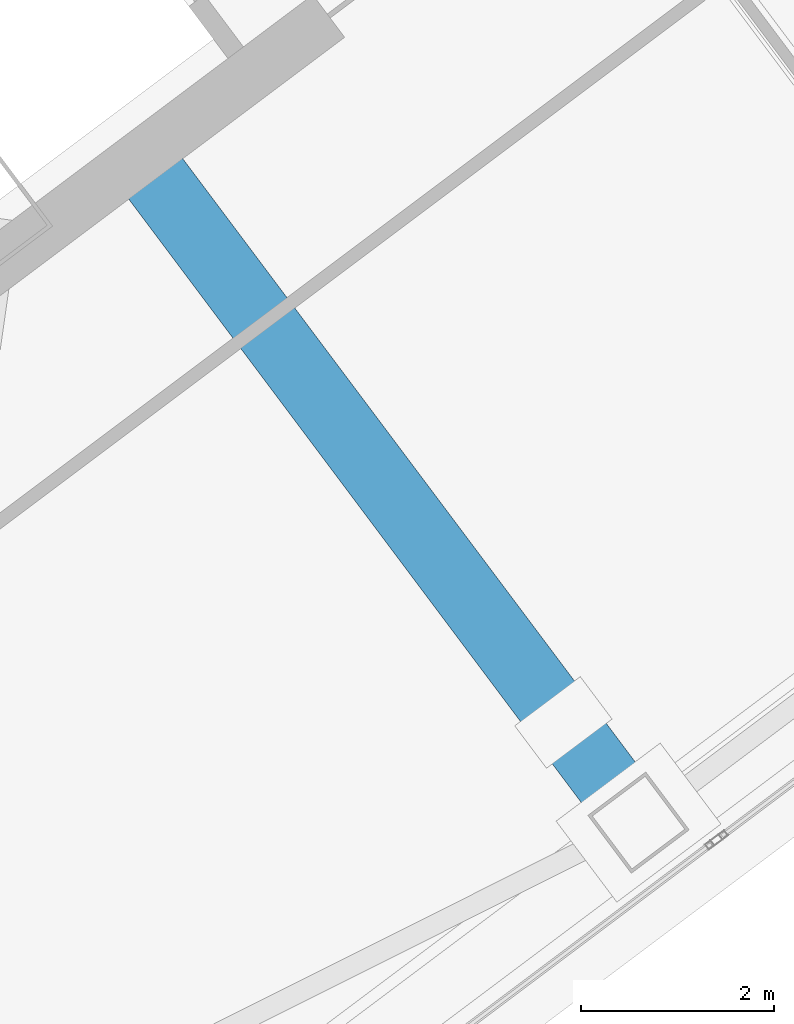
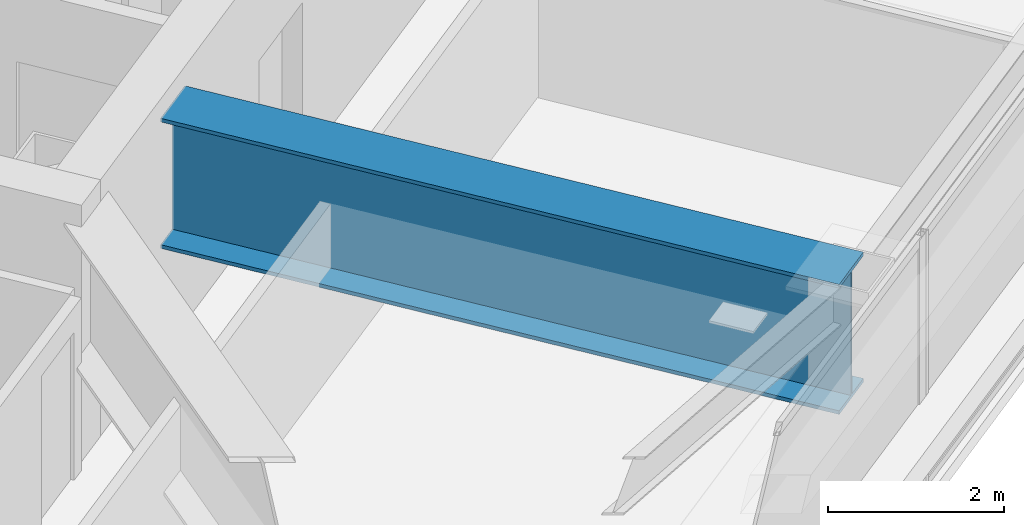
# One storey, part 20 of 42: 1 beam.
"""IFC4 building model written with IfcOpenShell, lengths in metres."""

import ifcopenshell
import ifcopenshell.guid

model = None  # the IFC model being written
_history = None  # IfcOwnerHistory: only IFC2X3 demands one
_inside = {}  # id of a spatial element -> (the spatial element, [elements in it])
_under = {}  # id of a project, library or spatial element -> (it, [spatial elements below it])
_declared = {}  # id of a project -> (the project, [libraries it declares])
_typed = {}  # id of a type object -> (the type object, [elements of that type])
_made_of = {}  # id of a material, layer set ... -> (it, [elements and type objects made of it])


def new_model(schema):
    """Start an empty IFC model of exactly this schema.

    Asked for "IFC4X3", IfcOpenShell would pick the latest addendum, in which some entities
    have other attributes; the version numbers below select the first issue.
    IFC2X3 requires an IfcOwnerHistory on every rooted entity: one is made here for all.
    """
    global model, _history
    if schema == "IFC4X3":
        model = ifcopenshell.file(schema_version=(4, 3, 0, 0))
    else:
        model = ifcopenshell.file(schema=schema)
    _inside.clear()
    _under.clear()
    _declared.clear()
    _typed.clear()
    _made_of.clear()
    _history = None
    if model.schema == "IFC2X3":
        org = make("IfcOrganization", Name="unknown")
        user = make(
            "IfcPersonAndOrganization",
            ThePerson=make("IfcPerson", FamilyName="unknown"),
            TheOrganization=org,
        )
        app = make(
            "IfcApplication",
            ApplicationDeveloper=org,
            Version="unknown",
            ApplicationFullName="unknown",
            ApplicationIdentifier="unknown",
        )
        _history = make(
            "IfcOwnerHistory",
            OwningUser=user,
            OwningApplication=app,
            ChangeAction="ADDED",
            CreationDate=0,
        )
    return model


def make(cls, **values):
    """One entity of the class cls with the attributes given. An attribute that is None is left unset."""
    return model.create_entity(
        cls, **{name: value for name, value in values.items() if value is not None}
    )


def rooted(cls, **values):
    """An entity with a GlobalId (a new one), such as an element, a storey or a relation."""
    return make(cls, GlobalId=ifcopenshell.guid.new(), OwnerHistory=_history, **values)


def si_unit(unit_type, name, prefix=None):
    """IfcSIUnit, for example si_unit("LENGTHUNIT", "METRE", prefix="MILLI")."""
    return make("IfcSIUnit", UnitType=unit_type, Prefix=prefix, Name=name)


def assignment(units):
    """IfcUnitAssignment: the units of a project."""
    return None if units is None else make("IfcUnitAssignment", Units=units)


def point(xyz):
    """IfcCartesianPoint."""
    return None if xyz is None else make("IfcCartesianPoint", Coordinates=xyz)


def direction(xyz):
    """IfcDirection."""
    return None if xyz is None else make("IfcDirection", DirectionRatios=xyz)


def frame(location, z_axis=None, x_axis=None):
    """IfcAxis2Placement3D, a coordinate frame: its origin and axes. An axis left out is left unset."""
    return make(
        "IfcAxis2Placement3D",
        Location=point(location),
        Axis=direction(z_axis),
        RefDirection=direction(x_axis),
    )


def frame_2d(location, x_axis=None):
    """IfcAxis2Placement2D, a coordinate frame in the plane: its origin and x axis."""
    return make(
        "IfcAxis2Placement2D", Location=point(location), RefDirection=direction(x_axis)
    )


def origin():
    """The frame at (0, 0, 0) with its axes left unset."""
    return frame((0.0, 0.0, 0.0))


def origin_2d():
    """The frame at (0, 0) in the plane with its x axis left unset."""
    return frame_2d((0.0, 0.0))


def place(relative_to, where):
    """IfcLocalPlacement: puts the frame where relative to a parent placement (None: the world)."""
    return make(
        "IfcLocalPlacement", PlacementRelTo=relative_to, RelativePlacement=where
    )


def context(
    kind, dimensions, precision=None, world=None, true_north=None, identifier=None
):
    """IfcGeometricRepresentationContext, for example the 3D "Model" context."""
    return make(
        "IfcGeometricRepresentationContext",
        ContextIdentifier=identifier,
        ContextType=kind,
        CoordinateSpaceDimension=dimensions,
        Precision=precision,
        WorldCoordinateSystem=world,
        TrueNorth=true_north,
    )


def subcontext(parent, identifier, kind, view, scale=None):
    """IfcGeometricRepresentationSubContext, for example "Body" below "Model"."""
    return make(
        "IfcGeometricRepresentationSubContext",
        ContextIdentifier=identifier,
        ContextType=kind,
        ParentContext=parent,
        TargetScale=scale,
        TargetView=view,
    )


def project(units=None, contexts=None):
    """IfcProject with its units and contexts."""
    return rooted(
        "IfcProject",
        Name="project",
        RepresentationContexts=contexts,
        UnitsInContext=assignment(units),
    )


def spatial(cls, under=None, at=None, **own):
    """A site, building, storey or space (cls), placed at a placement, below another one or the project."""
    s = rooted(cls, ObjectPlacement=at, **own)
    if under is not None:
        _under.setdefault(under.id(), (under, []))[1].append(s)
    return s


def profile(cls, at=None, kind="AREA", **sizes):
    """A parametric profile (cls). Its sizes go by their IFC names, for example OverallWidth=200.0."""
    return make(cls, ProfileType=kind, Position=at, **sizes)


def i_section(**sizes):
    """IfcIShapeProfileDef."""
    return profile("IfcIShapeProfileDef", **sizes)


def extrude(swept, where, along, depth):
    """IfcExtrudedAreaSolid: the profile swept, set in the frame where, extruded along a direction by depth."""
    return make(
        "IfcExtrudedAreaSolid",
        SweptArea=swept,
        Position=where,
        ExtrudedDirection=direction(along),
        Depth=depth,
    )


def shape(context_of_items, identifier, shape_type, items):
    """IfcShapeRepresentation: the items that make up one representation, for example the "Body"."""
    return make(
        "IfcShapeRepresentation",
        ContextOfItems=context_of_items,
        RepresentationIdentifier=identifier,
        RepresentationType=shape_type,
        Items=items,
    )


def material(Name=None, Category=None):
    """IfcMaterial."""
    return make("IfcMaterial", Name=Name, Category=Category)


def material_profile(
    of_material, cross_section, Name=None, Category=None, Priority=None
):
    """IfcMaterialProfile: a cross section and its material."""
    return make(
        "IfcMaterialProfile",
        Name=Name,
        Material=of_material,
        Profile=cross_section,
        Priority=Priority,
        Category=Category,
    )


def profile_set(profiles, Name=None, composite=None):
    """IfcMaterialProfileSet."""
    return make(
        "IfcMaterialProfileSet",
        Name=Name,
        MaterialProfiles=profiles,
        CompositeProfile=composite,
    )


def made_of(thing, what):
    """Note that an element or type object is made of a material, layer set ...; save() writes the relation."""
    if what is not None:
        _made_of.setdefault(what.id(), (what, []))[1].append(thing)
    return thing


def type_object(cls, material=None, **own):
    """A type object (cls), such as IfcWallType, which elements share."""
    return made_of(rooted(cls, **own), material)


def element(
    cls,
    number,
    at=None,
    inside=None,
    cuts=None,
    type_object=None,
    material=None,
    context=None,
    identifier="Body",
    shape_type=None,
    held_by="IfcProductDefinitionShape",
    body=None,
    shapes=None,
    **own,
):
    """One element of the class cls, such as IfcWall. Its Tag is "e" and its number.

    at: its placement. inside: the storey or other place that contains it. cuts: it is an
    opening in that element (IfcRelVoidsElement). A single representation is given by context,
    identifier, shape_type and body (its items); several are given by shapes. held_by: the class
    of the entity that holds the representations. save() writes the other relations.
    """
    e = rooted(cls, Tag="e%d" % number, ObjectPlacement=at, **own)
    if body is not None:
        shapes = [shape(context, identifier, shape_type, body)]
    if shapes is not None:
        e.Representation = make(held_by, Representations=shapes)
    if inside is not None:
        _inside.setdefault(inside.id(), (inside, []))[1].append(e)
    if cuts is not None:
        rooted(
            "IfcRelVoidsElement", RelatingBuildingElement=cuts, RelatedOpeningElement=e
        )
    if type_object is not None:
        _typed.setdefault(type_object.id(), (type_object, []))[1].append(e)
    return made_of(e, material)


def aggregate(whole, parts):
    """IfcRelAggregates: a whole, such as a stair, and the parts it consists of."""
    return rooted("IfcRelAggregates", RelatingObject=whole, RelatedObjects=parts)


def save(model, path):
    """Write the relations noted so far, then the file.

    IfcRelAggregates (storeys below a building ...), IfcRelContainedInSpatialStructure (elements
    in a storey), IfcRelDefinesByType, IfcRelAssociatesMaterial and IfcRelDeclares: one each for
    every whole, place, type object, material and project.
    """
    for whole, parts in _under.values():
        aggregate(whole, parts)
    for where, things in _inside.values():
        rooted(
            "IfcRelContainedInSpatialStructure",
            RelatedElements=things,
            RelatingStructure=where,
        )
    for kind, things in _typed.values():
        rooted("IfcRelDefinesByType", RelatedObjects=things, RelatingType=kind)
    for what, things in _made_of.values():
        rooted("IfcRelAssociatesMaterial", RelatedObjects=things, RelatingMaterial=what)
    for by, libraries in _declared.values():
        rooted("IfcRelDeclares", RelatingContext=by, RelatedDefinitions=libraries)
    model.write(path)


model = new_model("IFC4")

# Units and contexts
model_context = context("Model", 3, precision=1e-05, world=origin(), true_north=direction((0.0, 1.0)))
body_context = subcontext(model_context, "Body", "Model", "MODEL_VIEW")
ifc_project = project(units=[si_unit("LENGTHUNIT", "METRE"), si_unit("AREAUNIT", "SQUARE_METRE"), si_unit("VOLUMEUNIT", "CUBIC_METRE"), si_unit("PLANEANGLEUNIT", "RADIAN"), si_unit("MASSUNIT", "GRAM", prefix="KILO")], contexts=[model_context])

# Site, building, storey
site_placement = place(None, origin())
site = spatial("IfcSite", under=ifc_project, at=site_placement, CompositionType="ELEMENT")
building_placement = place(site_placement, origin())
building = spatial("IfcBuilding", under=site, at=building_placement, Name="Tashvorn Skyway Center", CompositionType="ELEMENT")
storey_placement = place(building_placement, frame((0.0, 0.0, 196.050048828125)))
storey = spatial("IfcBuildingStorey", under=building, at=storey_placement, Name="L53", CompositionType="ELEMENT", Elevation=196.050048828125)

# Beam
ifc_material = material(Name="Steel ASTM A572 Grade 50", Category="steel")
ifc_material_profile = material_profile(ifc_material, i_section(OverallWidth=0.699951171875, OverallDepth=1.800048828125, WebThickness=0.031982421875, FlangeThickness=0.050048828125, at=origin_2d()), Name="PG1800x700")
ifc_profile_set = profile_set([ifc_material_profile], Name="Steel ASTM A572 Grade 50")
beam_type = type_object("IfcBeamType", Name="BM-BEAM-PG1800x700", PredefinedType="BEAM", material=ifc_profile_set)
beam_placement = place(storey_placement, frame((119.3701171875, 15.840087890625, 2.349853515625), z_axis=(-0.600028001523, 0.799978998092, 0.0), x_axis=(-0.799978998092, -0.600028001523, 0.0)))
element("IfcBeam", 1, at=beam_placement, inside=storey, type_object=beam_type, Name="Tower 2 L53 Setback Transfer Girder FC-S1", PredefinedType="BEAM", context=body_context, shape_type="SweptSolid", body=[
    extrude(i_section(OverallWidth=0.699951171875, OverallDepth=1.800048828125, WebThickness=0.031982421875, FlangeThickness=0.050048828125, at=origin_2d()), origin(), (0.0, 0.0, 1.0), 8.369873046875),
])

save(model, "model.ifc")
